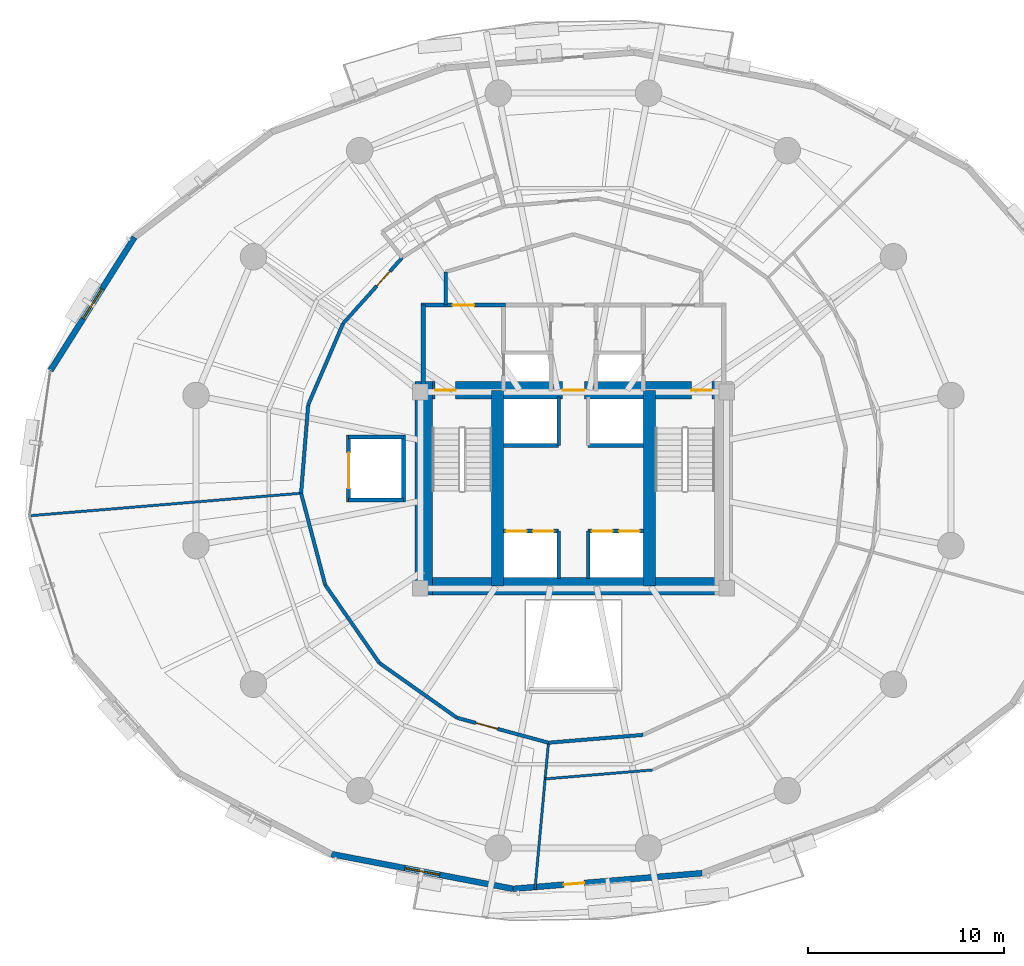
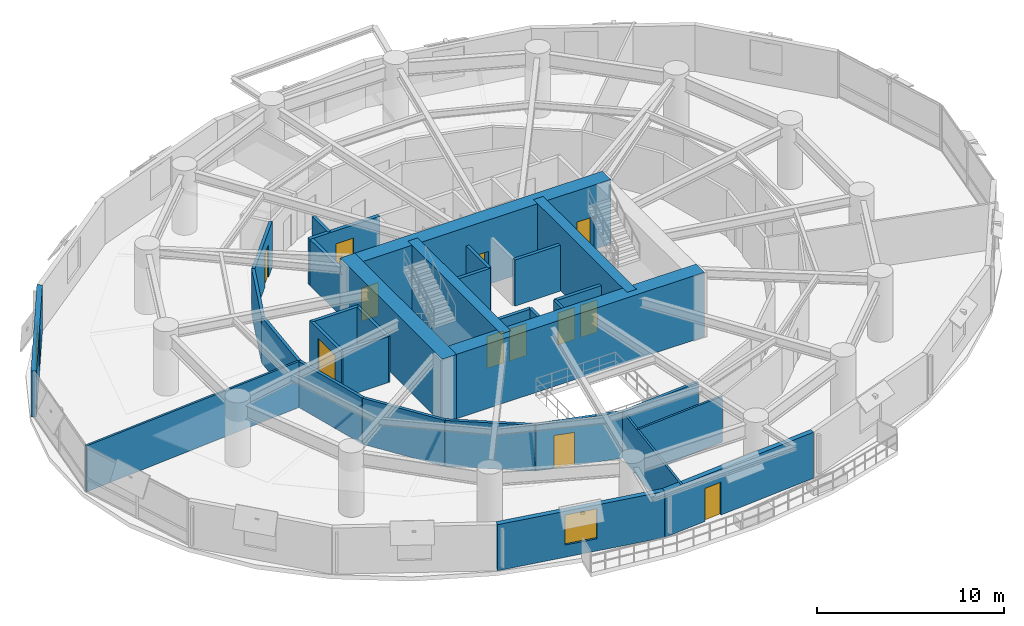
# One storey, part 10 of 16: 33 walls, 12 doors, 2 windows, 14 openings.
"""IFC4 building model written with IfcOpenShell, lengths in metres."""

from ifc_helpers import new_model, si_unit, direction, frame, frame_2d, origin, place, context, subcontext, project, spatial, rectangle, extrude, material, layer, layer_set, type_object, element, fill, save


model = new_model("IFC4")

# Units and contexts
model_context = context("Model", 3, precision=1e-05, world=origin(), true_north=direction((0.0, 1.0)))
body_context = subcontext(model_context, "Body", "Model", "MODEL_VIEW")
ifc_project = project(units=[si_unit("LENGTHUNIT", "METRE"), si_unit("AREAUNIT", "SQUARE_METRE"), si_unit("VOLUMEUNIT", "CUBIC_METRE"), si_unit("PLANEANGLEUNIT", "RADIAN"), si_unit("MASSUNIT", "GRAM", prefix="KILO"), si_unit("THERMODYNAMICTEMPERATUREUNIT", "KELVIN"), si_unit("POWERUNIT", "WATT")], contexts=[model_context])

# Site, building, storey
site_placement = place(None, origin())
site = spatial("IfcSite", under=ifc_project, at=site_placement, CompositionType="ELEMENT")
building_placement = place(site_placement, origin())
building = spatial("IfcBuilding", under=site, at=building_placement, Name="Ocrelia Relay Tower", CompositionType="ELEMENT")
storey_placement = place(building_placement, frame((0.0, 0.0, 51.0)))
storey = spatial("IfcBuildingStorey", under=building, at=storey_placement, Name="L11", CompositionType="ELEMENT", Elevation=51.0)

# Wall
ifc_material_1 = material(Name="Concrete C70/85", Category="concrete")
ifc_layer_1 = layer(ifc_material_1, 0.89990234375, Name="Concrete C70/85")
ifc_layer_set_1 = layer_set([ifc_layer_1], Name="Concrete C70/85")
wall_type_1 = type_object("IfcWallType", Name="CW-CORE-900", PredefinedType="SHEAR", material=ifc_layer_set_1)
wall_1_placement = place(storey_placement, frame((25.922119140625, 20.112060546875, 0.0), z_axis=(0.0, 0.0, 1.0), x_axis=(1.0, 0.0, 0.0)))
element("IfcWall", 1, at=wall_1_placement, inside=storey, type_object=wall_type_1, Name="L11 Core Shear Wall S", PredefinedType="SHEAR", context=body_context, shape_type="SweptSolid", body=[
    extrude(rectangle(XDim=16.165771484375, YDim=0.89990234375, at=frame_2d((8.0830078125, 0.0))), origin(), (0.0, 0.0, 1.0), 4.199951171875),
])

# Wall, openings, doors
wall_2_placement = place(storey_placement, frame((25.922119140625, 30.087890625, 0.0), z_axis=(0.0, 0.0, 1.0), x_axis=(1.0, 0.0, 0.0)))
wall_2 = element("IfcWall", 2, at=wall_2_placement, inside=storey, type_object=wall_type_1, Name="L11 Core Shear Wall N", PredefinedType="SHEAR", context=body_context, shape_type="SweptSolid", body=[
    extrude(rectangle(XDim=16.165771484375, YDim=0.89990234375, at=frame_2d((8.0830078125, 0.0))), origin(), (0.0, 0.0, 1.0), 4.199951171875),
])
opening_1_placement = place(wall_2_placement, frame((1.028076171875, 0.0, 0.0)))
opening_1 = element("IfcOpeningElement", 3, at=opening_1_placement, cuts=wall_2, Name="Opening D-FD90", PredefinedType="OPENING", context=body_context, shape_type="SweptSolid", body=[
    extrude(rectangle(XDim=1.050048828125, YDim=2.14990234375, at=frame_2d((0.52490234375, 1.074951171875))), frame((0.0, 0.4599609375, 0.0), z_axis=(0.0, -1.0, 0.0), x_axis=(1.0, 0.0, 0.0)), (0.0, 0.0, 1.0), 0.919921875),
])
opening_2_placement = place(wall_2_placement, frame((14.077880859375, 0.0, 0.0)))
opening_2 = element("IfcOpeningElement", 4, at=opening_2_placement, cuts=wall_2, Name="Opening D-FD90", PredefinedType="OPENING", context=body_context, shape_type="SweptSolid", body=[
    extrude(rectangle(XDim=1.050048828125, YDim=2.14990234375, at=frame_2d((0.52490234375, 1.074951171875))), frame((0.0, 0.4599609375, 0.0), z_axis=(0.0, -1.0, 0.0), x_axis=(1.0, 0.0, 0.0)), (0.0, 0.0, 1.0), 0.919921875),
])
opening_3_placement = place(wall_2_placement, frame((7.528076171875, 0.0, 0.0)))
opening_3 = element("IfcOpeningElement", 5, at=opening_3_placement, cuts=wall_2, Name="Opening D-FD60", PredefinedType="OPENING", context=body_context, shape_type="SweptSolid", body=[
    extrude(rectangle(XDim=1.10009765625, YDim=2.14990234375, at=frame_2d((0.550048828125, 1.074951171875))), frame((0.0, 0.4599609375, 0.0), z_axis=(0.0, -1.0, 0.0), x_axis=(1.0, 0.0, 0.0)), (0.0, 0.0, 1.0), 0.919921875),
])
ifc_material_2 = material(Name="Timber-core 60-min acoustic fire door", Category="wood")
door_type_1 = type_object("IfcDoorType", Name="DR-LOBBY-FD60-1100", OperationType="NOTDEFINED", PredefinedType="DOOR", material=ifc_material_2)
door_1_placement = place(opening_3_placement, origin())
door_1 = element("IfcDoor", 6, at=door_1_placement, inside=storey, type_object=door_type_1, Name="L11 Core Lift Lobby North Fire Door", OperationType="SINGLE_SWING_RIGHT", OverallHeight=2.14990234375, OverallWidth=1.10009765625, PredefinedType="DOOR", context=body_context, shape_type="SweptSolid", body=[
    extrude(rectangle(XDim=1.10009765625, YDim=2.14990234375, at=frame_2d((0.550048828125, 1.074951171875))), frame((0.0, 0.02490234375, 0.0), z_axis=(0.0, -1.0, 0.0), x_axis=(1.0, 0.0, 0.0)), (0.0, 0.0, 1.0), 0.050048828125),
])
fill(opening_3, door_1)
ifc_material_3 = material(Name="Steel S355 90-min fire door", Category="steel")
door_type_2 = type_object("IfcDoorType", Name="DR-STAIR-FD90-1050", OperationType="NOTDEFINED", PredefinedType="DOOR", material=ifc_material_3)
door_2_placement = place(opening_1_placement, origin())
door_2 = element("IfcDoor", 7, at=door_2_placement, inside=storey, type_object=door_type_2, Name="L11 Stair ST1 Fire Door", OperationType="SINGLE_SWING_RIGHT", OverallHeight=2.14990234375, OverallWidth=1.050048828125, PredefinedType="DOOR", context=body_context, shape_type="SweptSolid", body=[
    extrude(rectangle(XDim=1.050048828125, YDim=2.14990234375, at=frame_2d((0.52490234375, 1.074951171875))), frame((0.0, 0.02490234375, 0.0), z_axis=(0.0, -1.0, 0.0), x_axis=(1.0, 0.0, 0.0)), (0.0, 0.0, 1.0), 0.050048828125),
])
fill(opening_1, door_2)
door_3_placement = place(opening_2_placement, origin())
door_3 = element("IfcDoor", 8, at=door_3_placement, inside=storey, type_object=door_type_2, Name="L11 Stair ST2 Fire Door", OperationType="SINGLE_SWING_LEFT", OverallHeight=2.14990234375, OverallWidth=1.050048828125, PredefinedType="DOOR", context=body_context, shape_type="SweptSolid", body=[
    extrude(rectangle(XDim=1.050048828125, YDim=2.14990234375, at=frame_2d((0.52490234375, 1.074951171875))), frame((0.0, 0.02490234375, 0.0), z_axis=(0.0, -1.0, 0.0), x_axis=(1.0, 0.0, 0.0)), (0.0, 0.0, 1.0), 0.050048828125),
])
fill(opening_2, door_3)

# Walls
wall_3_placement = place(storey_placement, frame((26.3720703125, 19.662109375, 0.0), z_axis=(0.0, 0.0, 1.0), x_axis=(0.0, 1.0, 0.0)))
element("IfcWall", 9, at=wall_3_placement, inside=storey, type_object=wall_type_1, Name="L11 Core Shear Wall W", PredefinedType="SHEAR", context=body_context, shape_type="SweptSolid", body=[
    extrude(rectangle(XDim=10.8759765625, YDim=0.89990234375, at=frame_2d((5.43798828125, 0.0))), origin(), (0.0, 0.0, 1.0), 4.199951171875),
])
for number, where, z_axis, x_axis, name in (
    (10, (30.137939453125, 20.112060546875, 0.0), (0.0, 0.0, 1.0), (0.0, 1.0, 0.0), "L11 Core Shear Wall SPW"),
    (11, (37.8720703125, 20.112060546875, 0.0), (0.0, 0.0, 1.0), (0.0, 1.0, 0.0), "L11 Core Shear Wall SPE"),
):
    element("IfcWall", number, at=place(storey_placement, frame(where, z_axis=z_axis, x_axis=x_axis)), inside=storey, type_object=wall_type_1, Name=name, PredefinedType="SHEAR", context=body_context, shape_type="SweptSolid", body=[
        extrude(rectangle(XDim=9.975830078125, YDim=0.60009765625, at=frame_2d((4.98779296875, 0.0))), origin(), (0.0, 0.0, 1.0), 4.199951171875),
    ])
ifc_material_4 = material(Name="Gypsum Fireboard Partition EI60", Category="gypsum")
ifc_layer_2 = layer(ifc_material_4, 0.179931640625, Name="Gypsum Fireboard Partition EI60")
ifc_layer_set_2 = layer_set([ifc_layer_2], Name="Gypsum Fireboard Partition EI60")
wall_type_2 = type_object("IfcWallType", Name="W-CORR-EI60-180", PredefinedType="PARTITIONING", material=ifc_layer_set_2)
wall_4_placement = place(storey_placement, frame((27.5, 34.429931640625, 0.0), z_axis=(0.0, 0.0, 1.0), x_axis=(0.0, 1.0, 0.0)))
element("IfcWall", 12, at=wall_4_placement, inside=storey, type_object=wall_type_2, Name="L11 Smoke Lobby West Return", PredefinedType="PARTITIONING", context=body_context, shape_type="SweptSolid", body=[
    extrude(rectangle(XDim=1.69287109375, YDim=0.179931640625, at=frame_2d((0.846435546875, 0.0))), origin(), (0.0, 0.0, 1.0), 3.0),
])

# Wall, opening, door
wall_5_placement = place(storey_placement, frame((25.287109375, 36.85595703125, 0.0), z_axis=(0.0, 0.0, 1.0), x_axis=(-0.668041058899, -0.744124414077, 0.0)))
wall_5 = element("IfcWall", 13, at=wall_5_placement, inside=storey, type_object=wall_type_2, Name="L11 Carrier Briefing Room Corridor Partition 1", PredefinedType="PARTITIONING", context=body_context, shape_type="SweptSolid", body=[
    extrude(rectangle(XDim=4.514892578125, YDim=0.179931640625, at=frame_2d((2.25732421875, 0.0))), origin(), (0.0, 0.0, 1.0), 3.0),
])
opening_4_placement = place(wall_5_placement, frame((0.95361328125, 0.0, 0.0)))
opening_4 = element("IfcOpeningElement", 14, at=opening_4_placement, cuts=wall_5, Name="Opening D-RM100", PredefinedType="OPENING", context=body_context, shape_type="SweptSolid", body=[
    extrude(rectangle(XDim=1.0, YDim=2.14990234375, at=frame_2d((0.5, 1.074951171875))), frame((0.0, 0.10009765625, 0.0), z_axis=(0.0, -1.0, 0.0), x_axis=(1.0, 0.0, 0.0)), (0.0, 0.0, 1.0), 0.199951171875),
])
ifc_material_5 = material(Name="Acoustic oak veneer fire door", Category="wood")
door_type_3 = type_object("IfcDoorType", Name="DR-ROOM-FD60-1000", OperationType="NOTDEFINED", PredefinedType="DOOR", material=ifc_material_5)
door_4_placement = place(opening_4_placement, origin())
door_4 = element("IfcDoor", 15, at=door_4_placement, inside=storey, type_object=door_type_3, Name="L11 Carrier Briefing Room Entrance Door", OperationType="SINGLE_SWING_RIGHT", OverallHeight=2.14990234375, OverallWidth=1.0, PredefinedType="DOOR", context=body_context, shape_type="SweptSolid", body=[
    extrude(rectangle(XDim=1.0, YDim=2.14990234375, at=frame_2d((0.5, 1.074951171875))), frame((0.0, 0.02490234375, 0.0), z_axis=(0.0, -1.0, 0.0), x_axis=(1.0, 0.0, 0.0)), (0.0, 0.0, 1.0), 0.050048828125),
])
fill(opening_4, door_4)

# Walls
wall_6_placement = place(storey_placement, frame((22.27099609375, 33.496337890625, 0.0), z_axis=(0.0, 0.0, 1.0), x_axis=(-0.394774012908, -0.918778253298, 0.0)))
element("IfcWall", 16, at=wall_6_placement, inside=storey, type_object=wall_type_2, Name="L11 Carrier Briefing Room Corridor Partition 2", PredefinedType="PARTITIONING", context=body_context, shape_type="SweptSolid", body=[
    extrude(rectangle(XDim=4.51513671875, YDim=0.179931640625, at=frame_2d((2.257568359375, 0.0))), origin(), (0.0, 0.0, 1.0), 3.0),
])
wall_7_placement = place(storey_placement, frame((20.488525390625, 29.347900390625, 0.0), z_axis=(0.0, 0.0, 1.0), x_axis=(-0.079921456039, -0.996801164157, 0.0)))
element("IfcWall", 17, at=wall_7_placement, inside=storey, type_object=wall_type_2, Name="L11 Carrier Briefing Room Corridor Partition 3", PredefinedType="PARTITIONING", context=body_context, shape_type="SweptSolid", body=[
    extrude(rectangle(XDim=4.514892578125, YDim=0.179931640625, at=frame_2d((2.25732421875, 0.0))), origin(), (0.0, 0.0, 1.0), 3.0),
])
for number, where, z_axis, x_axis, name in (
    (18, (20.127685546875, 24.847412109375, 0.0), (0.0, 0.0, 1.0), (0.254625043829, -0.967039858049, 0.0), "L11 Colocation Data Hall A Corridor Partition 1"),
    (19, (21.358642578125, 20.17236328125, 0.0), (0.0, 0.0, 1.0), (0.570000151009, -0.821644587306, 0.0), "L11 Colocation Data Hall A Corridor Partition 2"),
    (20, (24.1142578125, 16.2001953125, 0.0), (0.0, 0.0, 1.0), (0.816630436939, -0.577160921636, 0.0), "L11 Colocation Data Hall A Corridor Partition 3"),
):
    element("IfcWall", number, at=place(storey_placement, frame(where, z_axis=z_axis, x_axis=x_axis)), inside=storey, type_object=wall_type_2, Name=name, PredefinedType="PARTITIONING", context=body_context, shape_type="SweptSolid", body=[
        extrude(rectangle(XDim=4.83447265625, YDim=0.179931640625, at=frame_2d((2.417236328125, 0.0))), origin(), (0.0, 0.0, 1.0), 3.0),
    ])

# Wall, opening, door
wall_8_placement = place(storey_placement, frame((28.062255859375, 13.409912109375, 0.0), z_axis=(0.0, 0.0, 1.0), x_axis=(0.964791786171, -0.26301484623, 0.0)))
wall_8 = element("IfcWall", 21, at=wall_8_placement, inside=storey, type_object=wall_type_2, Name="L11 Colocation Data Hall A Corridor Partition 4", PredefinedType="PARTITIONING", context=body_context, shape_type="SweptSolid", body=[
    extrude(rectangle(XDim=4.834228515625, YDim=0.179931640625, at=frame_2d((2.4169921875, 0.0))), origin(), (0.0, 0.0, 1.0), 3.0),
])
opening_5_placement = place(wall_8_placement, frame((0.99609375, 0.0, 0.0)))
opening_5 = element("IfcOpeningElement", 22, at=opening_5_placement, cuts=wall_8, Name="Opening D-RM115", PredefinedType="OPENING", context=body_context, shape_type="SweptSolid", body=[
    extrude(rectangle(XDim=1.14990234375, YDim=2.14990234375, at=frame_2d((0.574951171875, 1.074951171875))), frame((0.0, 0.10009765625, 0.0), z_axis=(0.0, -1.0, 0.0), x_axis=(1.0, 0.0, 0.0)), (0.0, 0.0, 1.0), 0.199951171875),
])
ifc_material_6 = material(Name="Wide acoustic oak veneer fire door", Category="wood")
door_type_4 = type_object("IfcDoorType", Name="DR-ROOM-1150", OperationType="NOTDEFINED", PredefinedType="DOOR", material=ifc_material_6)
door_5_placement = place(opening_5_placement, origin())
door_5 = element("IfcDoor", 23, at=door_5_placement, inside=storey, type_object=door_type_4, Name="L11 Colocation Data Hall A Entrance Door", OperationType="SINGLE_SWING_LEFT", OverallHeight=2.14990234375, OverallWidth=1.14990234375, PredefinedType="DOOR", context=body_context, shape_type="SweptSolid", body=[
    extrude(rectangle(XDim=1.14990234375, YDim=2.14990234375, at=frame_2d((0.574951171875, 1.074951171875))), frame((0.0, 0.02490234375, 0.0), z_axis=(0.0, -1.0, 0.0), x_axis=(1.0, 0.0, 0.0)), (0.0, 0.0, 1.0), 0.050048828125),
])
fill(opening_5, door_5)

# Wall
wall_9_placement = place(storey_placement, frame((32.726318359375, 12.138427734375, 0.0), z_axis=(0.0, 0.0, 1.0), x_axis=(0.99656453954, 0.082819795523, 0.0)))
element("IfcWall", 24, at=wall_9_placement, inside=storey, type_object=wall_type_2, Name="L11 Technical Conference Room Corridor Partition 1", PredefinedType="PARTITIONING", context=body_context, shape_type="SweptSolid", body=[
    extrude(rectangle(XDim=4.83447265625, YDim=0.179931640625, at=frame_2d((2.417236328125, 0.0))), origin(), (0.0, 0.0, 1.0), 3.0),
])

# Wall, opening, window
ifc_material_7 = material(Name="Precast concrete C40/50 with oxide terracotta", Category="masonry")
ifc_layer_3 = layer(ifc_material_7, 0.300048828125, Name="Precast concrete C40/50 with oxide terracotta")
ifc_layer_set_3 = layer_set([ifc_layer_3], Name="Precast concrete C40/50 with oxide terracotta")
wall_type_3 = type_object("IfcWallType", Name="W-EXT-TERR-300", PredefinedType="SOLIDWALL", material=ifc_layer_set_3)
wall_10_placement = place(storey_placement, frame((11.643310546875, 37.880859375, 0.0), z_axis=(0.0, 0.0, 1.0), x_axis=(-0.533594438525, -0.845740489261, 0.0)))
wall_10 = element("IfcWall", 25, at=wall_10_placement, inside=storey, type_object=wall_type_3, Name="L11 Oxide Terracotta Facade Wall 08", PredefinedType="SOLIDWALL", context=body_context, shape_type="SweptSolid", body=[
    extrude(rectangle(XDim=8.021484375, YDim=0.300048828125, at=frame_2d((4.0107421875, 0.0))), origin(), (0.0, 0.0, 1.0), 3.0),
])
opening_6_placement = place(wall_10_placement, frame((3.111083984375, 0.0, 0.800048828125)))
opening_6 = element("IfcOpeningElement", 26, at=opening_6_placement, cuts=wall_10, Name="Opening W-02", PredefinedType="OPENING", context=body_context, shape_type="SweptSolid", body=[
    extrude(rectangle(XDim=1.800048828125, YDim=1.949951171875, at=frame_2d((0.89990234375, 0.97509765625))), frame((0.0, 0.16015625, 0.0), z_axis=(0.0, -1.0, 0.0), x_axis=(1.0, 0.0, 0.0)), (0.0, 0.0, 1.0), 0.320068359375),
])
ifc_material_8 = material(Name="Clear double-glazed low-E glass", Category="glass")
window_type = type_object("IfcWindowType", Name="WIN-Z1-1800x2100", PartitioningType="DOUBLE_PANEL_VERTICAL", PredefinedType="WINDOW", material=ifc_material_8)
window_1_placement = place(opening_6_placement, origin())
window_1 = element("IfcWindow", 27, at=window_1_placement, inside=storey, type_object=window_type, Name="L11 Facade Module Window 08", OverallHeight=1.949951171875, OverallWidth=1.800048828125, PartitioningType="SINGLE_PANEL", PredefinedType="WINDOW", context=body_context, shape_type="SweptSolid", body=[
    extrude(rectangle(XDim=1.800048828125, YDim=1.949951171875, at=frame_2d((0.89990234375, 0.97509765625))), frame((0.0, 0.030029296875, 0.0), z_axis=(0.0, -1.0, 0.0), x_axis=(1.0, 0.0, 0.0)), (0.0, 0.0, 1.0), 0.06005859375),
])
fill(opening_6, window_1)

wall_11_placement = place(storey_placement, frame((21.67529296875, 6.466064453125, 0.0), z_axis=(0.0, 0.0, 1.0), x_axis=(0.982178716375, -0.187949379089, 0.0)))
wall_11 = element("IfcWall", 28, at=wall_11_placement, inside=storey, type_object=wall_type_3, Name="L11 Oxide Terracotta Facade Wall 13", PredefinedType="SOLIDWALL", context=body_context, shape_type="SweptSolid", body=[
    extrude(rectangle(XDim=9.4189453125, YDim=0.300048828125, at=frame_2d((4.70947265625, 0.0))), origin(), (0.0, 0.0, 1.0), 3.0),
])
opening_7_placement = place(wall_11_placement, frame((3.80908203125, 0.0, 0.800048828125)))
opening_7 = element("IfcOpeningElement", 29, at=opening_7_placement, cuts=wall_11, Name="Opening W-02", PredefinedType="OPENING", context=body_context, shape_type="SweptSolid", body=[
    extrude(rectangle(XDim=1.800048828125, YDim=1.949951171875, at=frame_2d((0.89990234375, 0.97509765625))), frame((0.0, 0.16015625, 0.0), z_axis=(0.0, -1.0, 0.0), x_axis=(1.0, 0.0, 0.0)), (0.0, 0.0, 1.0), 0.320068359375),
])
window_2_placement = place(opening_7_placement, origin())
window_2 = element("IfcWindow", 30, at=window_2_placement, inside=storey, type_object=window_type, Name="L11 Facade Module Window 13", OverallHeight=1.949951171875, OverallWidth=1.800048828125, PartitioningType="SINGLE_PANEL", PredefinedType="WINDOW", context=body_context, shape_type="SweptSolid", body=[
    extrude(rectangle(XDim=1.800048828125, YDim=1.949951171875, at=frame_2d((0.89990234375, 0.97509765625))), frame((0.0, 0.030029296875, 0.0), z_axis=(0.0, -1.0, 0.0), x_axis=(1.0, 0.0, 0.0)), (0.0, 0.0, 1.0), 0.06005859375),
])
fill(opening_7, window_2)

# Wall, opening, door
wall_12_placement = place(storey_placement, frame((30.92626953125, 4.69580078125, 0.0), z_axis=(0.0, 0.0, 1.0), x_axis=(0.99656491498, 0.082815277761, 0.0)))
wall_12 = element("IfcWall", 31, at=wall_12_placement, inside=storey, type_object=wall_type_3, Name="L11 Oxide Terracotta Facade Wall 14", PredefinedType="SOLIDWALL", context=body_context, shape_type="SweptSolid", body=[
    extrude(rectangle(XDim=9.65478515625, YDim=0.300048828125, at=frame_2d((4.827392578125, 0.0))), origin(), (0.0, 0.0, 1.0), 3.0),
])
opening_8_placement = place(wall_12_placement, frame((2.590087890625, 0.0, 0.0)))
opening_8 = element("IfcOpeningElement", 32, at=opening_8_placement, cuts=wall_12, Name="Opening DB-105", PredefinedType="OPENING", context=body_context, shape_type="SweptSolid", body=[
    extrude(rectangle(XDim=1.050048828125, YDim=2.14990234375, at=frame_2d((0.52490234375, 1.074951171875))), frame((0.0, 0.16015625, 0.0), z_axis=(0.0, -1.0, 0.0), x_axis=(1.0, 0.0, 0.0)), (0.0, 0.0, 1.0), 0.320068359375),
])
ifc_material_9 = material(Name="Thermally broken aluminium and clear glass", Category="aluminium")
door_type_5 = type_object("IfcDoorType", Name="DR-BALC-1050", OperationType="NOTDEFINED", PredefinedType="DOOR", material=ifc_material_9)
door_6_placement = place(opening_8_placement, origin())
door_6 = element("IfcDoor", 33, at=door_6_placement, inside=storey, type_object=door_type_5, Name="L11 Planted Loggia Balcony Door B2", OperationType="SINGLE_SWING_LEFT", OverallHeight=2.14990234375, OverallWidth=1.050048828125, PredefinedType="DOOR", context=body_context, shape_type="SweptSolid", body=[
    extrude(rectangle(XDim=1.050048828125, YDim=2.14990234375, at=frame_2d((0.52490234375, 1.074951171875))), frame((0.0, 0.02490234375, 0.0), z_axis=(0.0, -1.0, 0.0), x_axis=(1.0, 0.0, 0.0)), (0.0, 0.0, 1.0), 0.050048828125),
])
fill(opening_8, door_6)

# Wall
ifc_material_10 = material(Name="Concrete C50/60", Category="concrete")
ifc_layer_4 = layer(ifc_material_10, 0.219970703125, Name="Concrete C50/60")
ifc_layer_set_4 = layer_set([ifc_layer_4], Name="Concrete C50/60")
wall_type_4 = type_object("IfcWallType", Name="W-FFL-EI120-220", PredefinedType="SOLIDWALL", material=ifc_layer_set_4)
wall_13_placement = place(storey_placement, frame((26.35009765625, 30.050048828125, 0.0), z_axis=(0.0, 0.0, 1.0), x_axis=(0.0, 1.0, 0.0)))
element("IfcWall", 34, at=wall_13_placement, inside=storey, type_object=wall_type_4, Name="L11 W Fire Service Lift Lobby West Wall", PredefinedType="SOLIDWALL", context=body_context, shape_type="SweptSolid", body=[
    extrude(rectangle(XDim=4.3798828125, YDim=0.219970703125, at=frame_2d((2.18994140625, 0.0))), origin(), (0.0, 0.0, 1.0), 3.0),
])

# Wall, opening, door
wall_14_placement = place(storey_placement, frame((26.239990234375, 34.429931640625, 0.0), z_axis=(0.0, 0.0, 1.0), x_axis=(1.0, 0.0, 0.0)))
wall_14 = element("IfcWall", 35, at=wall_14_placement, inside=storey, type_object=wall_type_4, Name="L11 W Fire Service Lift Lobby North Wall", PredefinedType="SOLIDWALL", context=body_context, shape_type="SweptSolid", body=[
    extrude(rectangle(XDim=4.31005859375, YDim=0.219970703125, at=frame_2d((2.155029296875, 0.0))), origin(), (0.0, 0.0, 1.0), 3.0),
])
opening_9_placement = place(wall_14_placement, frame((1.60009765625, 0.0, 0.0)))
opening_9 = element("IfcOpeningElement", 36, at=opening_9_placement, cuts=wall_14, Name="Opening D-FD60", PredefinedType="OPENING", context=body_context, shape_type="SweptSolid", body=[
    extrude(rectangle(XDim=1.10009765625, YDim=2.14990234375, at=frame_2d((0.550048828125, 1.074951171875))), frame((0.0, 0.1201171875, 0.0), z_axis=(0.0, -1.0, 0.0), x_axis=(1.0, 0.0, 0.0)), (0.0, 0.0, 1.0), 0.239990234375),
])
door_7_placement = place(opening_9_placement, origin())
door_7 = element("IfcDoor", 37, at=door_7_placement, inside=storey, type_object=door_type_1, Name="L11 W Fire Service Lift Lobby Exit Door", OperationType="SINGLE_SWING_LEFT", OverallHeight=2.14990234375, OverallWidth=1.10009765625, PredefinedType="DOOR", context=body_context, shape_type="SweptSolid", body=[
    extrude(rectangle(XDim=1.10009765625, YDim=2.14990234375, at=frame_2d((0.550048828125, 1.074951171875))), frame((0.0, 0.02490234375, 0.0), z_axis=(0.0, -1.0, 0.0), x_axis=(1.0, 0.0, 0.0)), (0.0, 0.0, 1.0), 0.050048828125),
])
fill(opening_9, door_7)

# Walls
ifc_material_11 = material(Name="Acoustic Fireboard Partition EI60", Category="gypsum")
ifc_layer_5 = layer(ifc_material_11, 0.125, Name="Acoustic Fireboard Partition EI60")
ifc_layer_set_5 = layer_set([ifc_layer_5], Name="Acoustic Fireboard Partition EI60")
wall_type_5 = type_object("IfcWallType", Name="W-PART-125", PredefinedType="PARTITIONING", material=ifc_layer_set_5)
wall_15_placement = place(storey_placement, frame((20.127685546875, 24.847412109375, 0.0), z_axis=(0.0, 0.0, 1.0), x_axis=(-0.996565261037, -0.082811113348, 0.0)))
element("IfcWall", 38, at=wall_15_placement, inside=storey, type_object=wall_type_5, Name="L11 Carrier Briefing Room Radial Partition", PredefinedType="PARTITIONING", context=body_context, shape_type="SweptSolid", body=[
    extrude(rectangle(XDim=13.8798828125, YDim=0.125, at=frame_2d((6.93994140625, 0.0))), origin(), (0.0, 0.0, 1.0), 3.0),
])
wall_16_placement = place(storey_placement, frame((32.726318359375, 12.138427734375, 0.0), z_axis=(0.0, 0.0, 1.0), x_axis=(-0.091496605753, -0.995805388184, 0.0)))
element("IfcWall", 39, at=wall_16_placement, inside=storey, type_object=wall_type_5, Name="L11 Colocation Data Hall A Radial Partition", PredefinedType="PARTITIONING", context=body_context, shape_type="SweptSolid", body=[
    extrude(rectangle(XDim=7.513916015625, YDim=0.125, at=frame_2d((3.7568359375, 0.0))), origin(), (0.0, 0.0, 1.0), 3.0),
])
wall_17_placement = place(storey_placement, frame((32.556884765625, 10.296142578125, 0.0), z_axis=(0.0, 0.0, 1.0), x_axis=(0.996564485103, 0.082820450567, 0.0)))
element("IfcWall", 40, at=wall_17_placement, inside=storey, type_object=wall_type_5, Name="L11 Perimeter Technical Conference Room Mid-Ring Partition 1", PredefinedType="PARTITIONING", context=body_context, shape_type="SweptSolid", body=[
    extrude(rectangle(XDim=5.47705078125, YDim=0.125, at=frame_2d((2.738525390625, 0.0))), origin(), (0.0, 0.0, 1.0), 3.0),
])

# Wall, openings, doors
ifc_layer_6 = layer(ifc_material_10, 0.199951171875, Name="Concrete C50/60")
ifc_layer_set_6 = layer_set([ifc_layer_6], Name="Concrete C50/60")
wall_type_6 = type_object("IfcWallType", Name="W-SHAFT-EI120-200", PredefinedType="SOLIDWALL", material=ifc_layer_set_6)
wall_18_placement = place(storey_placement, frame((30.43994140625, 22.919921875, 0.0), z_axis=(0.0, 0.0, 1.0), x_axis=(1.0, 0.0, 0.0)))
wall_18 = element("IfcWall", 41, at=wall_18_placement, inside=storey, type_object=wall_type_6, Name="L11 Low-Rise Lift Hoistway Wall W", PredefinedType="SOLIDWALL", context=body_context, shape_type="SweptSolid", body=[
    extrude(rectangle(XDim=2.81005859375, YDim=0.199951171875, at=frame_2d((1.405029296875, 0.0))), origin(), (0.0, 0.0, 1.0), 3.0),
])
opening_10_placement = place(wall_18_placement, frame((0.1201171875, 0.0, 0.0)))
opening_10 = element("IfcOpeningElement", 42, at=opening_10_placement, cuts=wall_18, Name="Opening LD-PL1", PredefinedType="OPENING", context=body_context, shape_type="SweptSolid", body=[
    extrude(rectangle(XDim=1.050048828125, YDim=2.10009765625, at=frame_2d((0.52490234375, 1.050048828125))), frame((0.0, 0.10986328125, 0.0), z_axis=(0.0, -1.0, 0.0), x_axis=(1.0, 0.0, 0.0)), (0.0, 0.0, 1.0), 0.219970703125),
])
opening_11_placement = place(wall_18_placement, frame((1.5, 0.0, 0.0)))
opening_11 = element("IfcOpeningElement", 43, at=opening_11_placement, cuts=wall_18, Name="Opening LD-PL2", PredefinedType="OPENING", context=body_context, shape_type="SweptSolid", body=[
    extrude(rectangle(XDim=1.050048828125, YDim=2.10009765625, at=frame_2d((0.52490234375, 1.050048828125))), frame((0.0, 0.10986328125, 0.0), z_axis=(0.0, -1.0, 0.0), x_axis=(1.0, 0.0, 0.0)), (0.0, 0.0, 1.0), 0.219970703125),
])
ifc_material_12 = material(Name="Brushed stainless steel S355 lift landing door", Category="steel")
door_type_6 = type_object("IfcDoorType", Name="DR-LIFT-LAND-1050", OperationType="DOUBLE_DOOR_SLIDING", PredefinedType="USERDEFINED", material=ifc_material_12)
door_8_placement = place(opening_10_placement, origin())
door_8 = element("IfcDoor", 44, at=door_8_placement, inside=storey, type_object=door_type_6, Name="L11 Passenger Lift PL1 Sliding Landing Door", ObjectType="LANDING DOOR", OperationType="DOUBLE_DOOR_SLIDING", OverallHeight=2.10009765625, OverallWidth=1.050048828125, PredefinedType="USERDEFINED", context=body_context, shape_type="SweptSolid", body=[
    extrude(rectangle(XDim=1.050048828125, YDim=2.10009765625, at=frame_2d((0.52490234375, 1.050048828125))), frame((0.0, 0.02490234375, 0.0), z_axis=(0.0, -1.0, 0.0), x_axis=(1.0, 0.0, 0.0)), (0.0, 0.0, 1.0), 0.050048828125),
])
fill(opening_10, door_8)
door_9_placement = place(opening_11_placement, origin())
door_9 = element("IfcDoor", 45, at=door_9_placement, inside=storey, type_object=door_type_6, Name="L11 Passenger Lift PL2 Sliding Landing Door", ObjectType="LANDING DOOR", OperationType="DOUBLE_DOOR_SLIDING", OverallHeight=2.10009765625, OverallWidth=1.050048828125, PredefinedType="USERDEFINED", context=body_context, shape_type="SweptSolid", body=[
    extrude(rectangle(XDim=1.050048828125, YDim=2.10009765625, at=frame_2d((0.52490234375, 1.050048828125))), frame((0.0, 0.02490234375, 0.0), z_axis=(0.0, -1.0, 0.0), x_axis=(1.0, 0.0, 0.0)), (0.0, 0.0, 1.0), 0.050048828125),
])
fill(opening_11, door_9)

# Wall
wall_19_placement = place(storey_placement, frame((33.25, 20.5, 0.0), z_axis=(0.0, 0.0, 1.0), x_axis=(0.0, 1.0, 0.0)))
element("IfcWall", 46, at=wall_19_placement, inside=storey, type_object=wall_type_6, Name="L11 Low-Rise Lift Throat Wall W", PredefinedType="SOLIDWALL", context=body_context, shape_type="SweptSolid", body=[
    extrude(rectangle(XDim=2.419921875, YDim=0.179931640625, at=frame_2d((1.2099609375, 0.0))), origin(), (0.0, 0.0, 1.0), 3.0),
])

# Wall, openings, doors
wall_20_placement = place(storey_placement, frame((34.75, 22.919921875, 0.0), z_axis=(0.0, 0.0, 1.0), x_axis=(1.0, 0.0, 0.0)))
wall_20 = element("IfcWall", 47, at=wall_20_placement, inside=storey, type_object=wall_type_6, Name="L11 Low-Rise Lift Hoistway Wall E", PredefinedType="SOLIDWALL", context=body_context, shape_type="SweptSolid", body=[
    extrude(rectangle(XDim=2.81005859375, YDim=0.199951171875, at=frame_2d((1.405029296875, 0.0))), origin(), (0.0, 0.0, 1.0), 3.0),
])
opening_12_placement = place(wall_20_placement, frame((0.18994140625, 0.0, 0.0)))
opening_12 = element("IfcOpeningElement", 48, at=opening_12_placement, cuts=wall_20, Name="Opening LD-PL3", PredefinedType="OPENING", context=body_context, shape_type="SweptSolid", body=[
    extrude(rectangle(XDim=1.050048828125, YDim=2.10009765625, at=frame_2d((0.52490234375, 1.050048828125))), frame((0.0, 0.10986328125, 0.0), z_axis=(0.0, -1.0, 0.0), x_axis=(1.0, 0.0, 0.0)), (0.0, 0.0, 1.0), 0.219970703125),
])
opening_13_placement = place(wall_20_placement, frame((1.570068359375, 0.0, 0.0)))
opening_13 = element("IfcOpeningElement", 49, at=opening_13_placement, cuts=wall_20, Name="Opening LD-PL4", PredefinedType="OPENING", context=body_context, shape_type="SweptSolid", body=[
    extrude(rectangle(XDim=1.050048828125, YDim=2.10009765625, at=frame_2d((0.52490234375, 1.050048828125))), frame((0.0, 0.10986328125, 0.0), z_axis=(0.0, -1.0, 0.0), x_axis=(1.0, 0.0, 0.0)), (0.0, 0.0, 1.0), 0.219970703125),
])
door_10_placement = place(opening_12_placement, origin())
door_10 = element("IfcDoor", 50, at=door_10_placement, inside=storey, type_object=door_type_6, Name="L11 Passenger Lift PL3 Sliding Landing Door", ObjectType="LANDING DOOR", OperationType="DOUBLE_DOOR_SLIDING", OverallHeight=2.10009765625, OverallWidth=1.050048828125, PredefinedType="USERDEFINED", context=body_context, shape_type="SweptSolid", body=[
    extrude(rectangle(XDim=1.050048828125, YDim=2.10009765625, at=frame_2d((0.52490234375, 1.050048828125))), frame((0.0, 0.02490234375, 0.0), z_axis=(0.0, -1.0, 0.0), x_axis=(1.0, 0.0, 0.0)), (0.0, 0.0, 1.0), 0.050048828125),
])
fill(opening_12, door_10)
door_11_placement = place(opening_13_placement, origin())
door_11 = element("IfcDoor", 51, at=door_11_placement, inside=storey, type_object=door_type_6, Name="L11 Passenger Lift PL4 Sliding Landing Door", ObjectType="LANDING DOOR", OperationType="DOUBLE_DOOR_SLIDING", OverallHeight=2.10009765625, OverallWidth=1.050048828125, PredefinedType="USERDEFINED", context=body_context, shape_type="SweptSolid", body=[
    extrude(rectangle(XDim=1.050048828125, YDim=2.10009765625, at=frame_2d((0.52490234375, 1.050048828125))), frame((0.0, 0.02490234375, 0.0), z_axis=(0.0, -1.0, 0.0), x_axis=(1.0, 0.0, 0.0)), (0.0, 0.0, 1.0), 0.050048828125),
])
fill(opening_13, door_11)

# Walls
wall_21_placement = place(storey_placement, frame((34.75, 20.5, 0.0), z_axis=(0.0, 0.0, 1.0), x_axis=(0.0, 1.0, 0.0)))
element("IfcWall", 52, at=wall_21_placement, inside=storey, type_object=wall_type_6, Name="L11 Low-Rise Lift Throat Wall E", PredefinedType="SOLIDWALL", context=body_context, shape_type="SweptSolid", body=[
    extrude(rectangle(XDim=2.419921875, YDim=0.179931640625, at=frame_2d((1.2099609375, 0.0))), origin(), (0.0, 0.0, 1.0), 3.0),
])
wall_22_placement = place(storey_placement, frame((30.43994140625, 27.280029296875, 0.0), z_axis=(0.0, 0.0, 1.0), x_axis=(1.0, 0.0, 0.0)))
element("IfcWall", 53, at=wall_22_placement, inside=storey, type_object=wall_type_6, Name="L11 High-Rise Lift Hoistway Wall W", PredefinedType="SOLIDWALL", context=body_context, shape_type="SweptSolid", body=[
    extrude(rectangle(XDim=2.81005859375, YDim=0.199951171875, at=frame_2d((1.405029296875, 0.0))), origin(), (0.0, 0.0, 1.0), 3.0),
])
wall_23_placement = place(storey_placement, frame((33.25, 27.280029296875, 0.0), z_axis=(0.0, 0.0, 1.0), x_axis=(0.0, 1.0, 0.0)))
element("IfcWall", 54, at=wall_23_placement, inside=storey, type_object=wall_type_6, Name="L11 High-Rise Lift Throat Wall W", PredefinedType="SOLIDWALL", context=body_context, shape_type="SweptSolid", body=[
    extrude(rectangle(XDim=2.469970703125, YDim=0.179931640625, at=frame_2d((1.23486328125, 0.0))), origin(), (0.0, 0.0, 1.0), 3.0),
])
wall_24_placement = place(storey_placement, frame((34.75, 27.280029296875, 0.0), z_axis=(0.0, 0.0, 1.0), x_axis=(1.0, 0.0, 0.0)))
element("IfcWall", 55, at=wall_24_placement, inside=storey, type_object=wall_type_6, Name="L11 High-Rise Lift Hoistway Wall E", PredefinedType="SOLIDWALL", context=body_context, shape_type="SweptSolid", body=[
    extrude(rectangle(XDim=2.81005859375, YDim=0.199951171875, at=frame_2d((1.405029296875, 0.0))), origin(), (0.0, 0.0, 1.0), 3.0),
])

# Wall, opening, door
wall_25_placement = place(storey_placement, frame((22.550048828125, 24.39990234375, 0.0), z_axis=(0.0, 0.0, 1.0), x_axis=(0.0, 1.0, 0.0)))
wall_25 = element("IfcWall", 56, at=wall_25_placement, inside=storey, type_object=wall_type_6, Name="L11 Goods Lift Shaft West Wall", PredefinedType="SOLIDWALL", context=body_context, shape_type="SweptSolid", body=[
    extrude(rectangle(XDim=3.400146484375, YDim=0.199951171875, at=frame_2d((1.7001953125, 0.0))), origin(), (0.0, 0.0, 1.0), 3.0),
])
opening_14_placement = place(wall_25_placement, frame((0.699951171875, 0.0, 0.0)))
opening_14 = element("IfcOpeningElement", 57, at=opening_14_placement, cuts=wall_25, Name="Opening LD-GL1", PredefinedType="OPENING", context=body_context, shape_type="SweptSolid", body=[
    extrude(rectangle(XDim=1.800048828125, YDim=2.39990234375, at=frame_2d((0.89990234375, 1.199951171875))), frame((0.0, 0.10986328125, 0.0), z_axis=(0.0, -1.0, 0.0), x_axis=(1.0, 0.0, 0.0)), (0.0, 0.0, 1.0), 0.219970703125),
])
ifc_material_13 = material(Name="Heavy-duty stainless steel S355 goods landing door", Category="steel")
door_type_7 = type_object("IfcDoorType", Name="DR-GOODS-LAND-1800", OperationType="DOUBLE_DOOR_SLIDING", PredefinedType="USERDEFINED", material=ifc_material_13)
door_12_placement = place(opening_14_placement, origin())
door_12 = element("IfcDoor", 58, at=door_12_placement, inside=storey, type_object=door_type_7, Name="L11 Goods Lift GL1 Sliding Landing Door", ObjectType="LANDING DOOR", OperationType="DOUBLE_DOOR_SLIDING", OverallHeight=2.39990234375, OverallWidth=1.800048828125, PredefinedType="USERDEFINED", context=body_context, shape_type="SweptSolid", body=[
    extrude(rectangle(XDim=1.800048828125, YDim=2.39990234375, at=frame_2d((0.89990234375, 1.199951171875))), frame((0.0, 0.02490234375, 0.0), z_axis=(0.0, -1.0, 0.0), x_axis=(1.0, 0.0, 0.0)), (0.0, 0.0, 1.0), 0.050048828125),
])
fill(opening_14, door_12)

# Walls
wall_26_placement = place(storey_placement, frame((25.35009765625, 24.39990234375, 0.0), z_axis=(0.0, 0.0, 1.0), x_axis=(0.0, 1.0, 0.0)))
element("IfcWall", 59, at=wall_26_placement, inside=storey, type_object=wall_type_6, Name="L11 Goods Lift Shaft E Wall", PredefinedType="SOLIDWALL", context=body_context, shape_type="SweptSolid", body=[
    extrude(rectangle(XDim=3.400146484375, YDim=0.199951171875, at=frame_2d((1.7001953125, 0.0))), origin(), (0.0, 0.0, 1.0), 3.0),
])
for number, where, z_axis, x_axis, name in (
    (60, (22.550048828125, 24.5, 0.0), (0.0, 0.0, 1.0), (1.0, 0.0, 0.0), "L11 Goods Lift Shaft S Wall"),
    (61, (22.550048828125, 27.699951171875, 0.0), (0.0, 0.0, 1.0), (1.0, 0.0, 0.0), "L11 Goods Lift Shaft N Wall"),
):
    element("IfcWall", number, at=place(storey_placement, frame(where, z_axis=z_axis, x_axis=x_axis)), inside=storey, type_object=wall_type_6, Name=name, PredefinedType="SOLIDWALL", context=body_context, shape_type="SweptSolid", body=[
        extrude(rectangle(XDim=2.800048828125, YDim=0.199951171875, at=frame_2d((1.39990234375, 0.0))), origin(), (0.0, 0.0, 1.0), 3.0),
    ])

save(model, "model.ifc")
